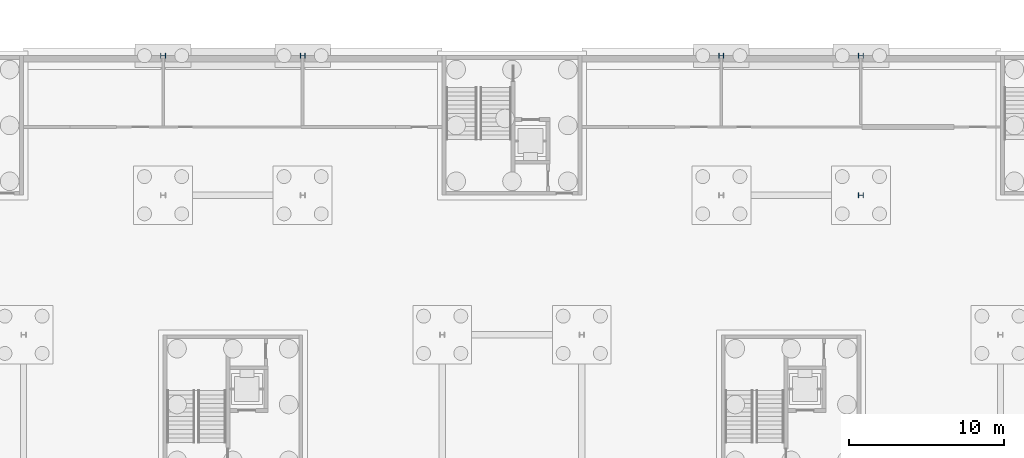
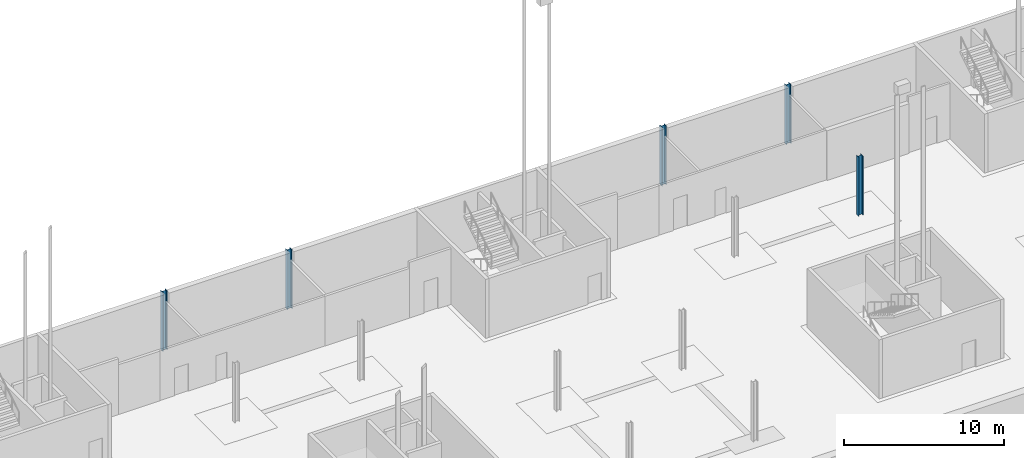
# One storey, part 8 of 41: 5 columns.
"""IFC4 building model written with IfcOpenShell, lengths in metres."""

from ifc_helpers import new_model, si_unit, direction, frame, origin, origin_2d, place, context, subcontext, project, spatial, i_section, extrude, material, material_profile, profile_set, type_object, element, save


model = new_model("IFC4")

# Units and contexts
model_context = context("Model", 3, precision=1e-05, world=origin(), true_north=direction((0.0, 1.0)))
body_context = subcontext(model_context, "Body", "Model", "MODEL_VIEW")
ifc_project = project(units=[si_unit("LENGTHUNIT", "METRE"), si_unit("AREAUNIT", "SQUARE_METRE"), si_unit("VOLUMEUNIT", "CUBIC_METRE"), si_unit("PLANEANGLEUNIT", "RADIAN"), si_unit("MASSUNIT", "GRAM", prefix="KILO")], contexts=[model_context])

# Site, building, storey
site_placement = place(None, origin())
site = spatial("IfcSite", under=ifc_project, at=site_placement, CompositionType="ELEMENT")
building_placement = place(site_placement, origin())
building = spatial("IfcBuilding", under=site, at=building_placement, Name="Corbel Yard City Hall", CompositionType="ELEMENT")
storey_placement = place(building_placement, frame((0.0, 0.0, -4.5)))
storey = spatial("IfcBuildingStorey", under=building, at=storey_placement, Name="B1", CompositionType="ELEMENT", Elevation=-4.5)

# Columns
ifc_material = material(Name="Steel Grade 300 (300 MPa yield)", Category="steel")
ifc_material_profile = material_profile(ifc_material, i_section(OverallWidth=0.31103515625, OverallDepth=0.326904296875, WebThickness=0.015625, FlangeThickness=0.02490234375, at=origin_2d()), Name="310UC158")
ifc_profile_set = profile_set([ifc_material_profile], Name="Steel Grade 300 (300 MPa yield)")
column_type = type_object("IfcColumnType", Name="Column 310UC158", PredefinedType="COLUMN", material=ifc_profile_set)
for number, where, z_axis, x_axis, name in (
    (1, (81.0, 117.0, 0.0), (0.0, 0.0, 1.0), (0.0, 1.0, 0.0), "Column 310UC158 N/10 B1"),
    (2, (90.0, 117.0, 0.0), (0.0, 0.0, 1.0), (0.0, 1.0, 0.0), "Column 310UC158 N/11 B1"),
    (3, (117.0, 117.0, 0.0), (0.0, 0.0, 1.0), (0.0, 1.0, 0.0), "Column 310UC158 N/14 B1"),
    (4, (126.0, 108.0, 0.0), (0.0, 0.0, 1.0), (0.0, 1.0, 0.0), "Column 310UC158 M/15 B1"),
    (5, (126.0, 117.0, 0.0), (0.0, 0.0, 1.0), (0.0, 1.0, 0.0), "Column 310UC158 N/15 B1"),
):
    element("IfcColumn", number, at=place(storey_placement, frame(where, z_axis=z_axis, x_axis=x_axis)), inside=storey, type_object=column_type, Name=name, PredefinedType="COLUMN", context=body_context, shape_type="SweptSolid", body=[
        extrude(i_section(OverallWidth=0.31103515625, OverallDepth=0.326904296875, WebThickness=0.015625, FlangeThickness=0.02490234375, at=origin_2d()), origin(), (0.0, 0.0, 1.0), 4.5),
    ])

save(model, "model.ifc")
